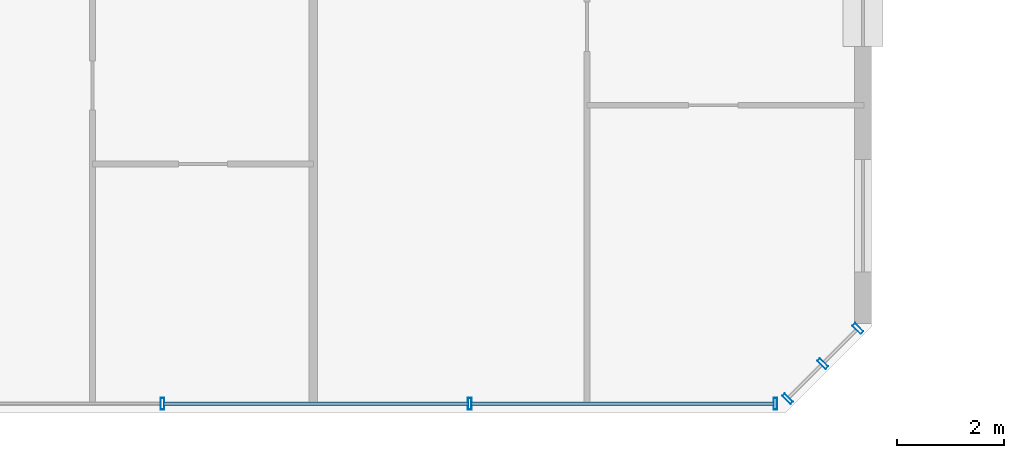
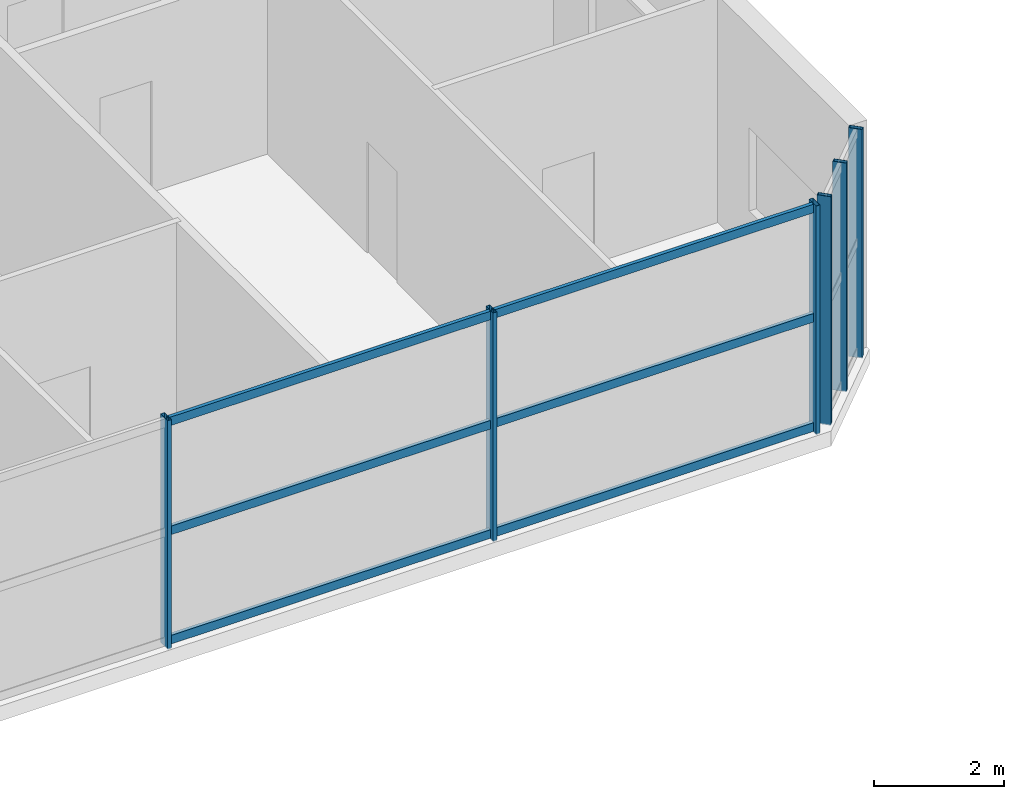
# One storey, part 6 of 21: 12 members, 2 elements without a shape of their own.
"""IFC4 building model written with IfcOpenShell, lengths in metres."""

from ifc_helpers import new_model, si_unit, direction, frame, origin, origin_2d, place, context, subcontext, project, spatial, hollow_rectangle, extrude, source, transform, mapped, material, material_profile, profile_set, type_object, element, aggregate, save


model = new_model("IFC4")

# Units and contexts
model_context = context("Model", 3, precision=1e-05, world=origin(), true_north=direction((0.0, 1.0)))
body_context = subcontext(model_context, "Body", "Model", "MODEL_VIEW")
ifc_project = project(units=[si_unit("LENGTHUNIT", "METRE"), si_unit("AREAUNIT", "SQUARE_METRE"), si_unit("VOLUMEUNIT", "CUBIC_METRE"), si_unit("PLANEANGLEUNIT", "RADIAN"), si_unit("MASSUNIT", "GRAM", prefix="KILO")], contexts=[model_context])

# Site, building, storey
site_placement = place(None, origin())
site = spatial("IfcSite", under=ifc_project, at=site_placement, CompositionType="ELEMENT")
building_placement = place(site_placement, origin())
building = spatial("IfcBuilding", under=site, at=building_placement, Name="Tlacorven Tower", CompositionType="ELEMENT")
storey_placement = place(building_placement, frame((0.0, 0.0, 100.800048828125)))
storey = spatial("IfcBuildingStorey", under=building, at=storey_placement, Name="L25", CompositionType="ELEMENT", Elevation=100.800048828125)

# Curtain wall, members
ifc_material_1 = material(Name="Dark solar low-E double glazing in aluminium frame", Category="aluminium")
curtain_wall_type = type_object("IfcCurtainWallType", Name="CW-COM-AMENITY", PredefinedType="USERDEFINED", material=ifc_material_1)
curtain_wall_1_placement = place(storey_placement, origin())
curtain_wall_1 = element("IfcCurtainWall", 1, at=curtain_wall_1_placement, inside=storey, type_object=curtain_wall_type, Name="L25 CW-COM-AMENITY Curtain Wall 127", ObjectType="UNITISED CURTAIN WALL", PredefinedType="USERDEFINED")
ifc_material_2 = material(Name="Aluminium 6063-T6 anodised", Category="aluminium")
ifc_material_profile_1 = material_profile(ifc_material_2, hollow_rectangle(XDim=0.070068359375, YDim=0.219970703125, WallThickness=0.0048828125, at=origin_2d()), Name="ALU MULLION 70X220")
ifc_profile_set_1 = profile_set([ifc_material_profile_1], Name="Aluminium 6063-T6 anodised")
member_type_1 = type_object("IfcMemberType", Name="CWM-01", PredefinedType="MULLION", material=ifc_profile_set_1)
shared_shape_1 = source(origin(), body_context, "Body", "SweptSolid", [
    extrude(hollow_rectangle(XDim=0.070068359375, YDim=0.219970703125, WallThickness=0.0048828125, at=origin_2d()), origin(), (0.0, 0.0, 1.0), 4.280029296875),
])
member_1_placement = place(storey_placement, frame((52.14453125, 3.370849609375, -0.02001953125), z_axis=(0.0, 0.0, 1.0), x_axis=(-0.707106781187, -0.707106781187, 0.0)))
member_1 = element("IfcMember", 2, at=member_1_placement, type_object=member_type_1, Name="CW-L25-127 Mullion 1", PredefinedType="MULLION", context=body_context, shape_type="MappedRepresentation", body=[
    mapped(shared_shape_1, transform((0.0, 0.0, 0.0), scale=1.0)),
])
member_2_placement = place(storey_placement, frame((51.48681640625, 2.713134765625, -0.02001953125), z_axis=(0.0, 0.0, 1.0), x_axis=(-0.707106781187, -0.707106781187, 0.0)))
member_2 = element("IfcMember", 3, at=member_2_placement, type_object=member_type_1, Name="CW-L25-127 Mullion 2", PredefinedType="MULLION", context=body_context, shape_type="MappedRepresentation", body=[
    mapped(shared_shape_1, transform((0.0, 0.0, 0.0), scale=1.0)),
])
member_3_placement = place(storey_placement, frame((50.8291015625, 2.055419921875, -0.02001953125), z_axis=(0.0, 0.0, 1.0), x_axis=(-0.707106781187, -0.707106781187, 0.0)))
member_3 = element("IfcMember", 4, at=member_3_placement, type_object=member_type_1, Name="CW-L25-127 Mullion 3", PredefinedType="MULLION", context=body_context, shape_type="MappedRepresentation", body=[
    mapped(shared_shape_1, transform((0.0, 0.0, 0.0), scale=1.0)),
])
aggregate(curtain_wall_1, [member_1, member_2, member_3])

curtain_wall_2_placement = place(storey_placement, origin())
curtain_wall_2 = element("IfcCurtainWall", 5, at=curtain_wall_2_placement, inside=storey, type_object=curtain_wall_type, Name="L25 CW-COM-AMENITY Curtain Wall 128", ObjectType="UNITISED CURTAIN WALL", PredefinedType="USERDEFINED")
member_4_placement = place(storey_placement, frame((50.5986328125, 1.9599609375, -0.02001953125), z_axis=(0.0, 0.0, 1.0), x_axis=(-1.0, 0.0, 0.0)))
member_4 = element("IfcMember", 6, at=member_4_placement, type_object=member_type_1, Name="CW-L25-128 Mullion 1", PredefinedType="MULLION", context=body_context, shape_type="MappedRepresentation", body=[
    mapped(shared_shape_1, transform((0.0, 0.0, 0.0), scale=1.0)),
])
member_5_placement = place(storey_placement, frame((44.8779296875, 1.9599609375, -0.02001953125), z_axis=(0.0, 0.0, 1.0), x_axis=(-1.0, 0.0, 0.0)))
member_5 = element("IfcMember", 7, at=member_5_placement, type_object=member_type_1, Name="CW-L25-128 Mullion 2", PredefinedType="MULLION", context=body_context, shape_type="MappedRepresentation", body=[
    mapped(shared_shape_1, transform((0.0, 0.0, 0.0), scale=1.0)),
])
member_6_placement = place(storey_placement, frame((39.1220703125, 1.9599609375, -0.02001953125), z_axis=(0.0, 0.0, 1.0), x_axis=(-1.0, 0.0, 0.0)))
member_6 = element("IfcMember", 8, at=member_6_placement, type_object=member_type_1, Name="CW-L25-128 Mullion 3", PredefinedType="MULLION", context=body_context, shape_type="MappedRepresentation", body=[
    mapped(shared_shape_1, transform((0.0, 0.0, 0.0), scale=1.0)),
])
ifc_material_profile_2 = material_profile(ifc_material_2, hollow_rectangle(XDim=0.06494140625, YDim=0.159912109375, WallThickness=0.00390625, at=origin_2d()), Name="ALU TRANSOM 65X160")
ifc_profile_set_2 = profile_set([ifc_material_profile_2], Name="Aluminium 6063-T6 anodised")
member_type_2 = type_object("IfcMemberType", Name="CWT-01", PredefinedType="USERDEFINED", material=ifc_profile_set_2)
shared_shape_2 = source(origin(), body_context, "Body", "SweptSolid", [
    extrude(hollow_rectangle(XDim=0.06494140625, YDim=0.159912109375, WallThickness=0.00390625, at=origin_2d()), origin(), (0.0, 0.0, 1.0), 5.6748046875),
])
member_7_placement = place(storey_placement, frame((50.57568359375, 1.9599609375, 0.079833984375), z_axis=(-1.0, 0.0, 0.0), x_axis=(0.0, -1.0, 0.0)))
member_7 = element("IfcMember", 9, at=member_7_placement, type_object=member_type_2, Name="CW-L25-128 Transom 1", ObjectType="TRANSOM", PredefinedType="USERDEFINED", context=body_context, shape_type="MappedRepresentation", body=[
    mapped(shared_shape_2, transform((0.0, 0.0, 0.0), scale=1.0)),
])
member_8_placement = place(storey_placement, frame((50.57568359375, 1.9599609375, 2.125), z_axis=(-1.0, 0.0, 0.0), x_axis=(0.0, -1.0, 0.0)))
member_8 = element("IfcMember", 10, at=member_8_placement, type_object=member_type_2, Name="CW-L25-128 Transom 2", ObjectType="TRANSOM", PredefinedType="USERDEFINED", context=body_context, shape_type="MappedRepresentation", body=[
    mapped(shared_shape_2, transform((0.0, 0.0, 0.0), scale=1.0)),
])
member_9_placement = place(storey_placement, frame((50.57568359375, 1.9599609375, 4.169921875), z_axis=(-1.0, 0.0, 0.0), x_axis=(0.0, -1.0, 0.0)))
member_9 = element("IfcMember", 11, at=member_9_placement, type_object=member_type_2, Name="CW-L25-128 Transom 3", ObjectType="TRANSOM", PredefinedType="USERDEFINED", context=body_context, shape_type="MappedRepresentation", body=[
    mapped(shared_shape_2, transform((0.0, 0.0, 0.0), scale=1.0)),
])
shared_shape_3 = source(origin(), body_context, "Body", "SweptSolid", [
    extrude(hollow_rectangle(XDim=0.06494140625, YDim=0.159912109375, WallThickness=0.00390625, at=origin_2d()), origin(), (0.0, 0.0, 1.0), 5.7099609375),
])
member_10_placement = place(storey_placement, frame((44.85498046875, 1.9599609375, 0.079833984375), z_axis=(-1.0, 0.0, 0.0), x_axis=(0.0, -1.0, 0.0)))
member_10 = element("IfcMember", 12, at=member_10_placement, type_object=member_type_2, Name="CW-L25-128 Transom 4", ObjectType="TRANSOM", PredefinedType="USERDEFINED", context=body_context, shape_type="MappedRepresentation", body=[
    mapped(shared_shape_3, transform((0.0, 0.0, 0.0), scale=1.0)),
])
member_11_placement = place(storey_placement, frame((44.85498046875, 1.9599609375, 2.125), z_axis=(-1.0, 0.0, 0.0), x_axis=(0.0, -1.0, 0.0)))
member_11 = element("IfcMember", 13, at=member_11_placement, type_object=member_type_2, Name="CW-L25-128 Transom 5", ObjectType="TRANSOM", PredefinedType="USERDEFINED", context=body_context, shape_type="MappedRepresentation", body=[
    mapped(shared_shape_3, transform((0.0, 0.0, 0.0), scale=1.0)),
])
member_12_placement = place(storey_placement, frame((44.85498046875, 1.9599609375, 4.169921875), z_axis=(-1.0, 0.0, 0.0), x_axis=(0.0, -1.0, 0.0)))
member_12 = element("IfcMember", 14, at=member_12_placement, type_object=member_type_2, Name="CW-L25-128 Transom 6", ObjectType="TRANSOM", PredefinedType="USERDEFINED", context=body_context, shape_type="MappedRepresentation", body=[
    mapped(shared_shape_3, transform((0.0, 0.0, 0.0), scale=1.0)),
])
aggregate(curtain_wall_2, [member_4, member_5, member_6, member_7, member_8, member_9, member_10, member_11, member_12])

save(model, "model.ifc")
